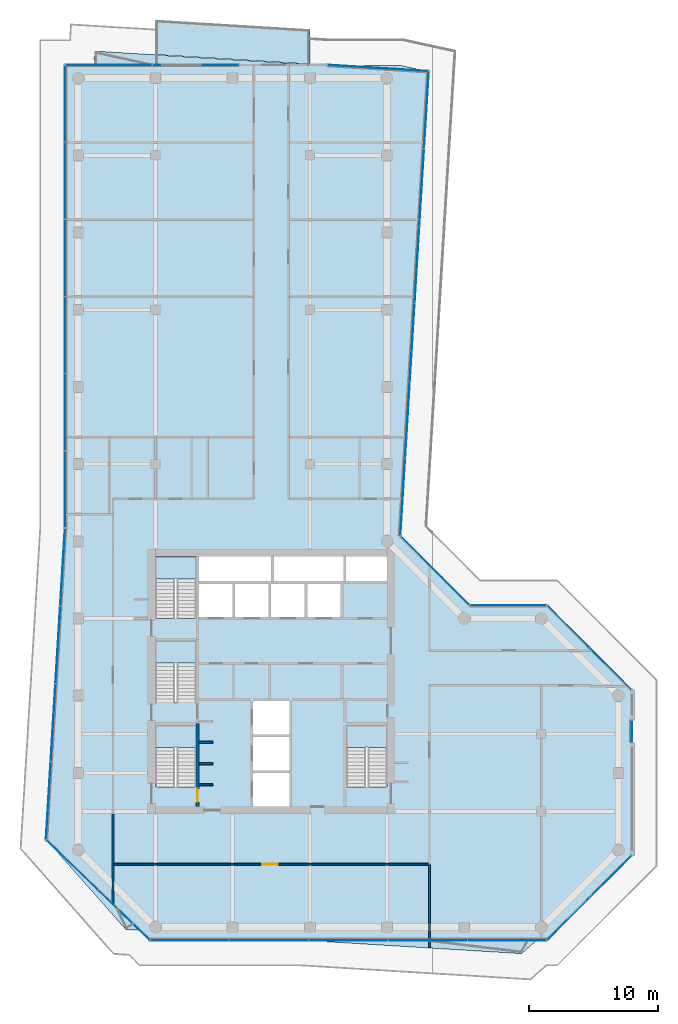
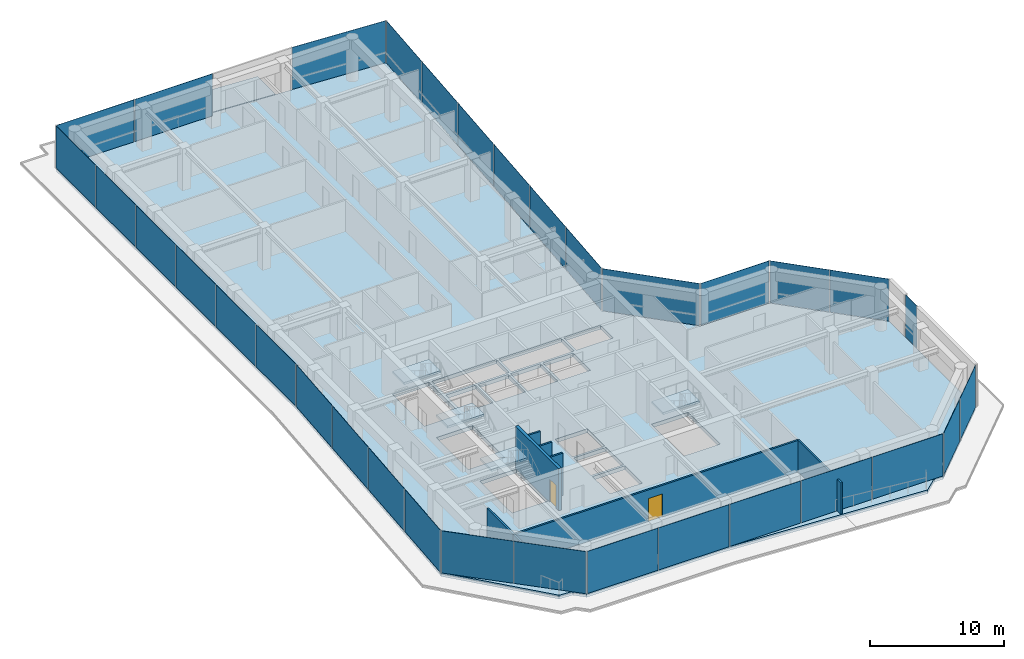
# One storey, part 17 of 22: 33 plates, 8 walls, 6 slabs, 2 doors, 2 openings, 16 elements without a shape of their own.
"""IFC4 building model written with IfcOpenShell, lengths in metres."""

from ifc_helpers import new_model, si_unit, direction, frame, frame_2d, origin, origin_2d, place, context, subcontext, project, spatial, polyline, rectangle, outline, extrude, material, layer, layer_set, type_object, element, fill, aggregate, save


model = new_model("IFC4")

# Units and contexts
model_context = context("Model", 3, precision=1e-05, world=origin(), true_north=direction((0.0, 1.0)))
body_context = subcontext(model_context, "Body", "Model", "MODEL_VIEW")
ifc_project = project(units=[si_unit("LENGTHUNIT", "METRE"), si_unit("AREAUNIT", "SQUARE_METRE"), si_unit("VOLUMEUNIT", "CUBIC_METRE"), si_unit("PLANEANGLEUNIT", "RADIAN"), si_unit("MASSUNIT", "GRAM", prefix="KILO")], contexts=[model_context])

# Site, building, storey
site_placement = place(None, origin())
site = spatial("IfcSite", under=ifc_project, at=site_placement, CompositionType="ELEMENT")
building_placement = place(site_placement, origin())
building = spatial("IfcBuilding", under=site, at=building_placement, Name="Welwitschia Terrace Campus", CompositionType="ELEMENT")
storey_placement = place(building_placement, frame((0.0, 0.0, 155.0)))
storey = spatial("IfcBuildingStorey", under=building, at=storey_placement, Name="L34", CompositionType="ELEMENT", Elevation=155.0)

# Curtain wall, plates
ifc_material_1 = material(Name="Bronze anodised aluminium", Category="aluminium")
ifc_layer_1 = layer(ifc_material_1, 0.1201171875)
ifc_layer_set_1 = layer_set([ifc_layer_1], Name="Bronze anodised aluminium")
curtain_wall_type = type_object("IfcCurtainWallType", Name="Curtain wall CW2 tower 6000", PredefinedType="NOTDEFINED", material=ifc_layer_set_1)
curtain_wall_1_placement = place(storey_placement, origin())
curtain_wall_1 = element("IfcCurtainWall", 1, at=curtain_wall_1_placement, inside=storey, type_object=curtain_wall_type, Name="CW L34.0.0", PredefinedType="NOTDEFINED")
ifc_material_2 = material(Name="Tinted bronze-grey glass", Category="glass")
ifc_layer_2 = layer(ifc_material_2, 0.028076171875)
ifc_layer_set_2 = layer_set([ifc_layer_2], Name="Tinted bronze-grey glass")
plate_type = type_object("IfcPlateType", Name="Glass panel 28 tinted", PredefinedType="CURTAIN_PANEL", material=ifc_layer_set_2)
plate_1_placement = place(storey_placement, frame((-1.21630859375, 23.991943359375, 0.0), z_axis=(0.0, 0.0, 1.0), x_axis=(-0.061048539535, -0.998134798422, 0.0)))
plate_1 = element("IfcPlate", 2, at=plate_1_placement, type_object=plate_type, Name="Panel L34.0.0.0", PredefinedType="CURTAIN_PANEL", context=body_context, shape_type="SweptSolid", body=[
    extrude(rectangle(XDim=5.98193359375, YDim=0.028076171875, at=origin_2d()), origin(), (0.0, 0.0, 1.0), 3.85009765625),
])
plate_2_placement = place(storey_placement, frame((-1.5859375, 17.9462890625, 0.0), z_axis=(0.0, 0.0, 1.0), x_axis=(-0.061048539535, -0.998134798422, 0.0)))
plate_2 = element("IfcPlate", 3, at=plate_2_placement, type_object=plate_type, Name="Panel L34.0.0.1", PredefinedType="CURTAIN_PANEL", context=body_context, shape_type="SweptSolid", body=[
    extrude(rectangle(XDim=6.011962890625, YDim=0.028076171875, at=origin_2d()), origin(), (0.0, 0.0, 1.0), 3.85009765625),
])
plate_3_placement = place(storey_placement, frame((-1.956787109375, 11.885498046875, 0.0), z_axis=(0.0, 0.0, 1.0), x_axis=(-0.061048539535, -0.998134798422, 0.0)))
plate_3 = element("IfcPlate", 4, at=plate_3_placement, type_object=plate_type, Name="Panel L34.0.0.2", PredefinedType="CURTAIN_PANEL", context=body_context, shape_type="SweptSolid", body=[
    extrude(rectangle(XDim=6.011962890625, YDim=0.028076171875, at=origin_2d()), origin(), (0.0, 0.0, 1.0), 3.85009765625),
])
plate_4_placement = place(storey_placement, frame((-2.326416015625, 5.83984375, 0.0), z_axis=(0.0, 0.0, 1.0), x_axis=(-0.061048539535, -0.998134798422, 0.0)))
plate_4 = element("IfcPlate", 5, at=plate_4_placement, type_object=plate_type, Name="Panel L34.0.0.3", PredefinedType="CURTAIN_PANEL", context=body_context, shape_type="SweptSolid", body=[
    extrude(rectangle(XDim=5.98193359375, YDim=0.028076171875, at=origin_2d()), origin(), (0.0, 0.0, 1.0), 3.85009765625),
])
aggregate(curtain_wall_1, [plate_1, plate_2, plate_3, plate_4])

curtain_wall_2_placement = place(storey_placement, origin())
curtain_wall_2 = element("IfcCurtainWall", 6, at=curtain_wall_2_placement, inside=storey, type_object=curtain_wall_type, Name="CW L34.1.0", PredefinedType="NOTDEFINED")
plate_5_placement = place(storey_placement, frame((-0.48046875, 0.828125, 0.0), z_axis=(0.0, 0.0, 1.0), x_axis=(0.718632119275, -0.695390449421, 0.0)))
plate_5 = element("IfcPlate", 7, at=plate_5_placement, type_object=plate_type, Name="Panel L34.1.0.0", PredefinedType="CURTAIN_PANEL", context=body_context, shape_type="SweptSolid", body=[
    extrude(rectangle(XDim=5.5361328125, YDim=0.028076171875, at=origin_2d()), origin(), (0.0, 0.0, 1.0), 3.85009765625),
])
plate_6_placement = place(storey_placement, frame((3.541015625, -3.0634765625, 0.0), z_axis=(0.0, 0.0, 1.0), x_axis=(0.718632119275, -0.695390449421, 0.0)))
plate_6 = element("IfcPlate", 8, at=plate_6_placement, type_object=plate_type, Name="Panel L34.1.0.1", PredefinedType="CURTAIN_PANEL", context=body_context, shape_type="SweptSolid", body=[
    extrude(rectangle(XDim=5.5361328125, YDim=0.028076171875, at=origin_2d()), origin(), (0.0, 0.0, 1.0), 3.85009765625),
])
aggregate(curtain_wall_2, [plate_5, plate_6])

curtain_wall_3_placement = place(storey_placement, origin())
curtain_wall_3 = element("IfcCurtainWall", 9, at=curtain_wall_3_placement, inside=storey, type_object=curtain_wall_type, Name="CW L34.2.0", PredefinedType="NOTDEFINED")
plate_7_placement = place(storey_placement, frame((8.673583984375, -5.030029296875, 0.0), z_axis=(0.0, 0.0, 1.0), x_axis=(1.0, 0.0, 0.0)))
plate_7 = element("IfcPlate", 10, at=plate_7_placement, type_object=plate_type, Name="Panel L34.2.0.0", PredefinedType="CURTAIN_PANEL", context=body_context, shape_type="SweptSolid", body=[
    extrude(rectangle(XDim=6.08056640625, YDim=0.028076171875, at=origin_2d()), origin(), (0.0, 0.0, 1.0), 3.85009765625),
])
plate_8_placement = place(storey_placement, frame((14.829345703125, -5.030029296875, 0.0), z_axis=(0.0, 0.0, 1.0), x_axis=(1.0, 0.0, 0.0)))
plate_8 = element("IfcPlate", 11, at=plate_8_placement, type_object=plate_type, Name="Panel L34.2.0.1", PredefinedType="CURTAIN_PANEL", context=body_context, shape_type="SweptSolid", body=[
    extrude(rectangle(XDim=6.110595703125, YDim=0.028076171875, at=origin_2d()), origin(), (0.0, 0.0, 1.0), 3.85009765625),
])
plate_9_placement = place(storey_placement, frame((21.0, -5.030029296875, 0.0), z_axis=(0.0, 0.0, 1.0), x_axis=(1.0, 0.0, 0.0)))
plate_9 = element("IfcPlate", 12, at=plate_9_placement, type_object=plate_type, Name="Panel L34.2.0.2", PredefinedType="CURTAIN_PANEL", context=body_context, shape_type="SweptSolid", body=[
    extrude(rectangle(XDim=6.110595703125, YDim=0.028076171875, at=origin_2d()), origin(), (0.0, 0.0, 1.0), 3.85009765625),
])
plate_10_placement = place(storey_placement, frame((27.170654296875, -5.030029296875, 0.0), z_axis=(0.0, 0.0, 1.0), x_axis=(1.0, 0.0, 0.0)))
plate_10 = element("IfcPlate", 13, at=plate_10_placement, type_object=plate_type, Name="Panel L34.2.0.3", PredefinedType="CURTAIN_PANEL", context=body_context, shape_type="SweptSolid", body=[
    extrude(rectangle(XDim=6.110595703125, YDim=0.028076171875, at=origin_2d()), origin(), (0.0, 0.0, 1.0), 3.85009765625),
])
plate_11_placement = place(storey_placement, frame((33.326416015625, -5.030029296875, 0.0), z_axis=(0.0, 0.0, 1.0), x_axis=(1.0, 0.0, 0.0)))
plate_11 = element("IfcPlate", 14, at=plate_11_placement, type_object=plate_type, Name="Panel L34.2.0.4", PredefinedType="CURTAIN_PANEL", context=body_context, shape_type="SweptSolid", body=[
    extrude(rectangle(XDim=6.08056640625, YDim=0.028076171875, at=origin_2d()), origin(), (0.0, 0.0, 1.0), 3.85009765625),
])
aggregate(curtain_wall_3, [plate_7, plate_8, plate_9, plate_10, plate_11])

curtain_wall_4_placement = place(storey_placement, origin())
curtain_wall_4 = element("IfcCurtainWall", 15, at=curtain_wall_4_placement, inside=storey, type_object=curtain_wall_type, Name="CW L34.3.0", PredefinedType="NOTDEFINED")
plate_12_placement = place(storey_placement, frame((38.088134765625, -3.36865234375, 0.0), z_axis=(0.0, 0.0, 1.0), x_axis=(0.707106781187, 0.707106781187, 0.0)))
plate_12 = element("IfcPlate", 16, at=plate_12_placement, type_object=plate_type, Name="Panel L34.3.0.0", PredefinedType="CURTAIN_PANEL", context=body_context, shape_type="SweptSolid", body=[
    extrude(rectangle(XDim=4.579345703125, YDim=0.028076171875, at=origin_2d()), origin(), (0.0, 0.0, 1.0), 3.85009765625),
])
plate_13_placement = place(storey_placement, frame((41.36865234375, -0.088134765625, 0.0), z_axis=(0.0, 0.0, 1.0), x_axis=(0.707106781187, 0.707106781187, 0.0)))
plate_13 = element("IfcPlate", 17, at=plate_13_placement, type_object=plate_type, Name="Panel L34.3.0.1", PredefinedType="CURTAIN_PANEL", context=body_context, shape_type="SweptSolid", body=[
    extrude(rectangle(XDim=4.579345703125, YDim=0.028076171875, at=origin_2d()), origin(), (0.0, 0.0, 1.0), 3.85009765625),
])
aggregate(curtain_wall_4, [plate_12, plate_13])

# Curtain wall, plate
curtain_wall_5_placement = place(storey_placement, origin())
curtain_wall_5 = element("IfcCurtainWall", 18, at=curtain_wall_5_placement, inside=storey, type_object=curtain_wall_type, Name="CW L34.4.S0", PredefinedType="NOTDEFINED")
plate_14_placement = place(storey_placement, frame((43.030029296875, 11.21337890625, 0.0), z_axis=(0.0, 0.0, 1.0), x_axis=(0.0, 1.0, 0.0)))
plate_14 = element("IfcPlate", 19, at=plate_14_placement, type_object=plate_type, Name="Panel L34.4.S0.0", PredefinedType="CURTAIN_PANEL", context=body_context, shape_type="SweptSolid", body=[
    extrude(rectangle(XDim=1.679931640625, YDim=0.028076171875, at=origin_2d()), origin(), (0.0, 0.0, 1.0), 3.85009765625),
])
aggregate(curtain_wall_5, [plate_14])

# Curtain wall, plates
curtain_wall_6_placement = place(storey_placement, origin())
curtain_wall_6 = element("IfcCurtainWall", 20, at=curtain_wall_6_placement, inside=storey, type_object=curtain_wall_type, Name="CW L34.5.0", PredefinedType="NOTDEFINED")
plate_15_placement = place(storey_placement, frame((41.36865234375, 16.088134765625, 0.0), z_axis=(0.0, 0.0, 1.0), x_axis=(-0.707106781187, 0.707106781187, 0.0)))
plate_15 = element("IfcPlate", 21, at=plate_15_placement, type_object=plate_type, Name="Panel L34.5.0.0", PredefinedType="CURTAIN_PANEL", context=body_context, shape_type="SweptSolid", body=[
    extrude(rectangle(XDim=4.579345703125, YDim=0.028076171875, at=origin_2d()), origin(), (0.0, 0.0, 1.0), 3.85009765625),
])
plate_16_placement = place(storey_placement, frame((38.088134765625, 19.36865234375, 0.0), z_axis=(0.0, 0.0, 1.0), x_axis=(-0.707106781187, 0.707106781187, 0.0)))
plate_16 = element("IfcPlate", 22, at=plate_16_placement, type_object=plate_type, Name="Panel L34.5.0.1", PredefinedType="CURTAIN_PANEL", context=body_context, shape_type="SweptSolid", body=[
    extrude(rectangle(XDim=4.579345703125, YDim=0.028076171875, at=origin_2d()), origin(), (0.0, 0.0, 1.0), 3.85009765625),
])
aggregate(curtain_wall_6, [plate_15, plate_16])

# Curtain wall, plate
curtain_wall_7_placement = place(storey_placement, origin())
curtain_wall_7 = element("IfcCurtainWall", 23, at=curtain_wall_7_placement, inside=storey, type_object=curtain_wall_type, Name="CW L34.6.0", PredefinedType="NOTDEFINED")
plate_17_placement = place(storey_placement, frame((33.4267578125, 21.030029296875, 0.0), z_axis=(0.0, 0.0, 1.0), x_axis=(-1.0, 0.0, 0.0)))
plate_17 = element("IfcPlate", 24, at=plate_17_placement, type_object=plate_type, Name="Panel L34.6.0.0", PredefinedType="CURTAIN_PANEL", context=body_context, shape_type="SweptSolid", body=[
    extrude(rectangle(XDim=5.8798828125, YDim=0.028076171875, at=origin_2d()), origin(), (0.0, 0.0, 1.0), 3.85009765625),
])
aggregate(curtain_wall_7, [plate_17])

curtain_wall_8_placement = place(storey_placement, origin())
curtain_wall_8 = element("IfcCurtainWall", 25, at=curtain_wall_8_placement, inside=storey, type_object=curtain_wall_type, Name="CW L34.7.0", PredefinedType="NOTDEFINED")
plate_18_placement = place(storey_placement, frame((27.733642578125, 23.722900390625, 0.0), z_axis=(0.0, 0.0, 1.0), x_axis=(-0.707106781187, 0.707106781187, 0.0)))
plate_18 = element("IfcPlate", 26, at=plate_18_placement, type_object=plate_type, Name="Panel L34.7.0.0", PredefinedType="CURTAIN_PANEL", context=body_context, shape_type="SweptSolid", body=[
    extrude(rectangle(XDim=7.496826171875, YDim=0.028076171875, at=origin_2d()), origin(), (0.0, 0.0, 1.0), 3.85009765625),
])
aggregate(curtain_wall_8, [plate_18])

# Curtain wall, plates
curtain_wall_9_placement = place(storey_placement, origin())
curtain_wall_9 = element("IfcCurtainWall", 27, at=curtain_wall_9_placement, inside=storey, type_object=curtain_wall_type, Name="CW L34.8.0", PredefinedType="NOTDEFINED")
plate_19_placement = place(storey_placement, frame((25.225830078125, 29.44140625, 0.0), z_axis=(0.0, 0.0, 1.0), x_axis=(0.061048539535, 0.998134798422, 0.0)))
plate_19 = element("IfcPlate", 28, at=plate_19_placement, type_object=plate_type, Name="Panel L34.8.0.0", PredefinedType="CURTAIN_PANEL", context=body_context, shape_type="SweptSolid", body=[
    extrude(rectangle(XDim=5.942138671875, YDim=0.028076171875, at=origin_2d()), origin(), (0.0, 0.0, 1.0), 3.85009765625),
])
plate_20_placement = place(storey_placement, frame((25.593017578125, 35.447265625, 0.0), z_axis=(0.0, 0.0, 1.0), x_axis=(0.061048539535, 0.998134798422, 0.0)))
plate_20 = element("IfcPlate", 29, at=plate_20_placement, type_object=plate_type, Name="Panel L34.8.0.1", PredefinedType="CURTAIN_PANEL", context=body_context, shape_type="SweptSolid", body=[
    extrude(rectangle(XDim=5.97216796875, YDim=0.028076171875, at=origin_2d()), origin(), (0.0, 0.0, 1.0), 3.85009765625),
])
plate_21_placement = place(storey_placement, frame((25.96142578125, 41.46826171875, 0.0), z_axis=(0.0, 0.0, 1.0), x_axis=(0.061048539535, 0.998134798422, 0.0)))
plate_21 = element("IfcPlate", 30, at=plate_21_placement, type_object=plate_type, Name="Panel L34.8.0.2", PredefinedType="CURTAIN_PANEL", context=body_context, shape_type="SweptSolid", body=[
    extrude(rectangle(XDim=5.97216796875, YDim=0.028076171875, at=origin_2d()), origin(), (0.0, 0.0, 1.0), 3.85009765625),
])
plate_22_placement = place(storey_placement, frame((26.32958984375, 47.489013671875, 0.0), z_axis=(0.0, 0.0, 1.0), x_axis=(0.061048539535, 0.998134798422, 0.0)))
plate_22 = element("IfcPlate", 31, at=plate_22_placement, type_object=plate_type, Name="Panel L34.8.0.3", PredefinedType="CURTAIN_PANEL", context=body_context, shape_type="SweptSolid", body=[
    extrude(rectangle(XDim=5.97216796875, YDim=0.028076171875, at=origin_2d()), origin(), (0.0, 0.0, 1.0), 3.85009765625),
])
plate_23_placement = place(storey_placement, frame((26.69775390625, 53.510009765625, 0.0), z_axis=(0.0, 0.0, 1.0), x_axis=(0.061048539535, 0.998134798422, 0.0)))
plate_23 = element("IfcPlate", 32, at=plate_23_placement, type_object=plate_type, Name="Panel L34.8.0.4", PredefinedType="CURTAIN_PANEL", context=body_context, shape_type="SweptSolid", body=[
    extrude(rectangle(XDim=5.97216796875, YDim=0.028076171875, at=origin_2d()), origin(), (0.0, 0.0, 1.0), 3.85009765625),
])
plate_24_placement = place(storey_placement, frame((27.065185546875, 59.515869140625, 0.0), z_axis=(0.0, 0.0, 1.0), x_axis=(0.061048539535, 0.998134798422, 0.0)))
plate_24 = element("IfcPlate", 33, at=plate_24_placement, type_object=plate_type, Name="Panel L34.8.0.5", PredefinedType="CURTAIN_PANEL", context=body_context, shape_type="SweptSolid", body=[
    extrude(rectangle(XDim=5.942138671875, YDim=0.028076171875, at=origin_2d()), origin(), (0.0, 0.0, 1.0), 3.85009765625),
])
aggregate(curtain_wall_9, [plate_19, plate_20, plate_21, plate_22, plate_23, plate_24])

# Curtain wall, plate
curtain_wall_10_placement = place(storey_placement, origin())
curtain_wall_10 = element("IfcCurtainWall", 34, at=curtain_wall_10_placement, inside=storey, type_object=curtain_wall_type, Name="CW L34.9.0", PredefinedType="NOTDEFINED")
plate_25_placement = place(storey_placement, frame((23.291015625, 62.78564453125, 0.0), z_axis=(0.0, 0.0, 1.0), x_axis=(-0.998101779406, 0.061586020702, 0.0)))
plate_25 = element("IfcPlate", 35, at=plate_25_placement, type_object=plate_type, Name="Panel L34.9.0.0", PredefinedType="CURTAIN_PANEL", context=body_context, shape_type="SweptSolid", body=[
    extrude(rectangle(XDim=7.8134765625, YDim=0.028076171875, at=origin_2d()), origin(), (0.0, 0.0, 1.0), 3.85009765625),
])
aggregate(curtain_wall_10, [plate_25])

# Curtain wall, plates
curtain_wall_11_placement = place(storey_placement, origin())
curtain_wall_11 = element("IfcCurtainWall", 36, at=curtain_wall_11_placement, inside=storey, type_object=curtain_wall_type, Name="CW L34.10.1", PredefinedType="NOTDEFINED")
plate_26_placement = place(storey_placement, frame((9.135986328125, 63.030029296875, 0.0), z_axis=(0.0, 0.0, 1.0), x_axis=(-1.0, 0.0, 0.0)))
plate_26 = element("IfcPlate", 37, at=plate_26_placement, type_object=plate_type, Name="Panel L34.10.1.0", PredefinedType="CURTAIN_PANEL", context=body_context, shape_type="SweptSolid", body=[
    extrude(rectangle(XDim=6.697265625, YDim=0.028076171875, at=origin_2d()), origin(), (0.0, 0.0, 1.0), 3.85009765625),
])
plate_27_placement = place(storey_placement, frame((2.378662109375, 63.030029296875, 0.0), z_axis=(0.0, 0.0, 1.0), x_axis=(-1.0, 0.0, 0.0)))
plate_27 = element("IfcPlate", 38, at=plate_27_placement, type_object=plate_type, Name="Panel L34.10.1.1", PredefinedType="CURTAIN_PANEL", context=body_context, shape_type="SweptSolid", body=[
    extrude(rectangle(XDim=6.697265625, YDim=0.028076171875, at=origin_2d()), origin(), (0.0, 0.0, 1.0), 3.85009765625),
])
aggregate(curtain_wall_11, [plate_26, plate_27])

curtain_wall_12_placement = place(storey_placement, origin())
curtain_wall_12 = element("IfcCurtainWall", 39, at=curtain_wall_12_placement, inside=storey, type_object=curtain_wall_type, Name="CW L34.11.0", PredefinedType="NOTDEFINED")
plate_28_placement = place(storey_placement, frame((-1.030029296875, 60.015625, 0.0), z_axis=(0.0, 0.0, 1.0), x_axis=(0.0, -1.0, 0.0)))
plate_28 = element("IfcPlate", 40, at=plate_28_placement, type_object=plate_type, Name="Panel L34.11.0.0", PredefinedType="CURTAIN_PANEL", context=body_context, shape_type="SweptSolid", body=[
    extrude(rectangle(XDim=5.90869140625, YDim=0.028076171875, at=origin_2d()), origin(), (0.0, 0.0, 1.0), 3.85009765625),
])
plate_29_placement = place(storey_placement, frame((-1.030029296875, 54.03173828125, 0.0), z_axis=(0.0, 0.0, 1.0), x_axis=(0.0, -1.0, 0.0)))
plate_29 = element("IfcPlate", 41, at=plate_29_placement, type_object=plate_type, Name="Panel L34.11.0.1", PredefinedType="CURTAIN_PANEL", context=body_context, shape_type="SweptSolid", body=[
    extrude(rectangle(XDim=5.938720703125, YDim=0.028076171875, at=origin_2d()), origin(), (0.0, 0.0, 1.0), 3.85009765625),
])
plate_30_placement = place(storey_placement, frame((-1.030029296875, 48.032958984375, 0.0), z_axis=(0.0, 0.0, 1.0), x_axis=(0.0, -1.0, 0.0)))
plate_30 = element("IfcPlate", 42, at=plate_30_placement, type_object=plate_type, Name="Panel L34.11.0.2", PredefinedType="CURTAIN_PANEL", context=body_context, shape_type="SweptSolid", body=[
    extrude(rectangle(XDim=5.938720703125, YDim=0.028076171875, at=origin_2d()), origin(), (0.0, 0.0, 1.0), 3.85009765625),
])
plate_31_placement = place(storey_placement, frame((-1.030029296875, 42.0341796875, 0.0), z_axis=(0.0, 0.0, 1.0), x_axis=(0.0, -1.0, 0.0)))
plate_31 = element("IfcPlate", 43, at=plate_31_placement, type_object=plate_type, Name="Panel L34.11.0.3", PredefinedType="CURTAIN_PANEL", context=body_context, shape_type="SweptSolid", body=[
    extrude(rectangle(XDim=5.938720703125, YDim=0.028076171875, at=origin_2d()), origin(), (0.0, 0.0, 1.0), 3.85009765625),
])
plate_32_placement = place(storey_placement, frame((-1.030029296875, 36.035400390625, 0.0), z_axis=(0.0, 0.0, 1.0), x_axis=(0.0, -1.0, 0.0)))
plate_32 = element("IfcPlate", 44, at=plate_32_placement, type_object=plate_type, Name="Panel L34.11.0.4", PredefinedType="CURTAIN_PANEL", context=body_context, shape_type="SweptSolid", body=[
    extrude(rectangle(XDim=5.938720703125, YDim=0.028076171875, at=origin_2d()), origin(), (0.0, 0.0, 1.0), 3.85009765625),
])
plate_33_placement = place(storey_placement, frame((-1.030029296875, 30.051513671875, 0.0), z_axis=(0.0, 0.0, 1.0), x_axis=(0.0, -1.0, 0.0)))
plate_33 = element("IfcPlate", 45, at=plate_33_placement, type_object=plate_type, Name="Panel L34.11.0.5", PredefinedType="CURTAIN_PANEL", context=body_context, shape_type="SweptSolid", body=[
    extrude(rectangle(XDim=5.90869140625, YDim=0.028076171875, at=origin_2d()), origin(), (0.0, 0.0, 1.0), 3.85009765625),
])
aggregate(curtain_wall_12, [plate_28, plate_29, plate_30, plate_31, plate_32, plate_33])

# Stair, slab
ifc_material_3 = material(Name="Concrete C40/50", Category="concrete")
stair_type = type_object("IfcStairType", Name="Stair 24R 175 W1500", PredefinedType="HALF_TURN_STAIR", material=ifc_material_3)
stair_1_placement = place(storey_placement, origin())
stair_1 = element("IfcStair", 46, at=stair_1_placement, inside=storey, type_object=stair_type, Name="L34 Exit stair S1", PredefinedType="HALF_TURN_STAIR")
ifc_material_4 = material(Name="Concrete C40/50", Category="concrete")
ifc_layer_3 = layer(ifc_material_4, 0.199951171875)
ifc_layer_set_3 = layer_set([ifc_layer_3], Name="Concrete C40/50")
slab_type_1 = type_object("IfcSlabType", Name="Stair landing RC", PredefinedType="LANDING", material=ifc_layer_set_3)
slab_1_placement = place(storey_placement, frame((0.0, 0.0, 1.89990234375)))
slab_1 = element("IfcSlab", 47, at=slab_1_placement, type_object=slab_type_1, Name="S1 landing 1", PredefinedType="LANDING", context=body_context, shape_type="SweptSolid", body=[
    extrude(outline(polyline([(9.14990234375, 9.97998046875), (9.14990234375, 11.699951171875), (6.0, 11.699951171875), (6.0, 9.97998046875), (9.14990234375, 9.97998046875)])), origin(), (0.0, 0.0, 1.0), 0.2001953125),
])
aggregate(stair_1, [slab_1])

stair_2_placement = place(storey_placement, origin())
stair_2 = element("IfcStair", 48, at=stair_2_placement, inside=storey, type_object=stair_type, Name="L34 Exit stair S3", PredefinedType="HALF_TURN_STAIR")
slab_2_placement = place(storey_placement, frame((0.0, 0.0, 1.89990234375)))
slab_2 = element("IfcSlab", 49, at=slab_2_placement, type_object=slab_type_1, Name="S3 landing 1", PredefinedType="LANDING", context=body_context, shape_type="SweptSolid", body=[
    extrude(outline(polyline([(9.14990234375, 16.530029296875), (9.14990234375, 18.25), (6.0, 18.25), (6.0, 16.530029296875), (9.14990234375, 16.530029296875)])), origin(), (0.0, 0.0, 1.0), 0.2001953125),
])
aggregate(stair_2, [slab_2])

stair_3_placement = place(storey_placement, origin())
stair_3 = element("IfcStair", 50, at=stair_3_placement, inside=storey, type_object=stair_type, Name="L34 Exit stair S4", PredefinedType="HALF_TURN_STAIR")
slab_3_placement = place(storey_placement, frame((0.0, 0.0, 1.89990234375)))
slab_3 = element("IfcSlab", 51, at=slab_3_placement, type_object=slab_type_1, Name="S4 landing 1", PredefinedType="LANDING", context=body_context, shape_type="SweptSolid", body=[
    extrude(outline(polyline([(9.14990234375, 23.080078125), (9.14990234375, 24.800048828125), (6.0, 24.800048828125), (6.0, 23.080078125), (9.14990234375, 23.080078125)])), origin(), (0.0, 0.0, 1.0), 0.2001953125),
])
aggregate(stair_3, [slab_3])

stair_4_placement = place(storey_placement, origin())
stair_4 = element("IfcStair", 52, at=stair_4_placement, inside=storey, type_object=stair_type, Name="L34 Exit stair S2", PredefinedType="HALF_TURN_STAIR")
slab_4_placement = place(storey_placement, frame((0.0, 0.0, 1.89990234375)))
slab_4 = element("IfcSlab", 53, at=slab_4_placement, type_object=slab_type_1, Name="S2 landing 1", PredefinedType="LANDING", context=body_context, shape_type="SweptSolid", body=[
    extrude(outline(polyline([(24.0, 9.97998046875), (24.0, 11.699951171875), (20.85009765625, 11.699951171875), (20.85009765625, 9.97998046875), (24.0, 9.97998046875)])), origin(), (0.0, 0.0, 1.0), 0.2001953125),
])
aggregate(stair_4, [slab_4])

# Slabs
ifc_material_5 = material(Name="Concrete C40/50", Category="concrete")
ifc_layer_4 = layer(ifc_material_5, 0.35009765625)
ifc_layer_set_4 = layer_set([ifc_layer_4], Name="Concrete C40/50")
slab_type_2 = type_object("IfcSlabType", Name="Suspended floor slab 350", PredefinedType="FLOOR", material=ifc_layer_set_4)
slab_5_placement = place(storey_placement, frame((0.0, 0.0, -0.35009765625)))
element("IfcSlab", 54, at=slab_5_placement, inside=storey, type_object=slab_type_2, Name="Floor slab L34", PredefinedType="FLOOR", context=body_context, shape_type="SweptSolid", body=[
    extrude(outline(polyline([(1.26708984375, 64.104736328125), (5.998046875, 63.8154296875), (5.9970703125, 63.800537109375), (18.0009765625, 63.06640625), (18.001953125, 63.081298828125), (19.330810546875, 63.0), (25.0, 63.0), (27.21875, 62.517578125), (25.010009765625, 26.404296875), (30.414306640625, 21.0), (36.414306640625, 21.0), (43.0, 14.414306640625), (43.0, 1.585693359375), (36.414306640625, -5.0), (35.64990234375, -5.0), (34.46044921875, -6.052490234375), (17.253173828125, -5.0), (5.585693359375, -5.0), (4.82568359375, -4.239990234375), (3.689453125, -4.17041015625), (-2.48193359375, 2.80517578125), (-1.0, 27.0361328125), (-1.0, 63.0), (1.19970703125, 63.0), (1.26708984375, 64.104736328125)]), holes=[polyline([(13.60009765625, 5.39990234375), (16.39990234375, 5.39990234375), (16.39990234375, 8.0), (13.60009765625, 8.0), (13.60009765625, 5.39990234375)]), polyline([(6.0, 11.699951171875), (6.0, 6.902099609375), (9.14990234375, 6.902099609375), (9.14990234375, 11.699951171875), (6.0, 11.699951171875)]), polyline([(6.0, 18.25), (6.0, 13.451904296875), (9.14990234375, 13.451904296875), (9.14990234375, 18.25), (6.0, 18.25)]), polyline([(9.39990234375, 22.699951171875), (9.39990234375, 20.10009765625), (12.0, 20.10009765625), (12.0, 22.699951171875), (9.39990234375, 22.699951171875)]), polyline([(12.199951171875, 22.699951171875), (12.199951171875, 20.10009765625), (14.800048828125, 20.10009765625), (14.800048828125, 22.699951171875), (12.199951171875, 22.699951171875)]), polyline([(6.0, 24.800048828125), (6.0, 20.001953125), (9.14990234375, 20.001953125), (9.14990234375, 24.800048828125), (6.0, 24.800048828125)]), polyline([(9.39990234375, 24.800048828125), (9.39990234375, 22.89990234375), (15.0, 22.89990234375), (15.0, 24.800048828125), (9.39990234375, 24.800048828125)]), polyline([(20.85009765625, 6.902099609375), (24.0, 6.902099609375), (24.0, 11.699951171875), (20.85009765625, 11.699951171875), (20.85009765625, 6.902099609375)]), polyline([(13.60009765625, 10.800048828125), (13.60009765625, 8.199951171875), (16.39990234375, 8.199951171875), (16.39990234375, 10.800048828125), (13.60009765625, 10.800048828125)]), polyline([(13.60009765625, 13.60009765625), (13.60009765625, 11.0), (16.39990234375, 11.0), (16.39990234375, 13.60009765625), (13.60009765625, 13.60009765625)]), polyline([(15.0, 22.699951171875), (15.0, 20.10009765625), (17.60009765625, 20.10009765625), (17.60009765625, 22.699951171875), (15.0, 22.699951171875)]), polyline([(17.800048828125, 22.699951171875), (17.800048828125, 20.10009765625), (20.39990234375, 20.10009765625), (20.39990234375, 22.699951171875), (17.800048828125, 22.699951171875)]), polyline([(15.199951171875, 24.800048828125), (15.199951171875, 22.89990234375), (20.60009765625, 22.89990234375), (20.60009765625, 24.800048828125), (15.199951171875, 24.800048828125)]), polyline([(20.800048828125, 24.800048828125), (20.800048828125, 22.89990234375), (24.0, 22.89990234375), (24.0, 24.800048828125), (20.800048828125, 24.800048828125)])]), origin(), (0.0, 0.0, 1.0), 0.35009765625),
])
ifc_material_6 = material(Name="Concrete C40/50", Category="concrete")
ifc_layer_5 = layer(ifc_material_6, 0.35009765625)
ifc_layer_set_5 = layer_set([ifc_layer_5], Name="Concrete C40/50")
slab_type_3 = type_object("IfcSlabType", Name="Terrace slab 350", PredefinedType="FLOOR", material=ifc_layer_set_5)
slab_6_placement = place(storey_placement, frame((0.0, 0.0, -0.35009765625)))
element("IfcSlab", 55, at=slab_6_placement, inside=storey, type_object=slab_type_3, Name="Terrace slab", PredefinedType="FLOOR", context=body_context, shape_type="SweptSolid", body=[
    extrude(outline(polyline([(6.0, 66.5205078125), (18.0, 65.786376953125), (18.0, 63.096435546875), (6.0, 63.830322265625), (6.0, 66.5205078125)])), origin(), (0.0, 0.0, 1.0), 0.35009765625),
])

# Walls
ifc_material_7 = material(Name="Concrete C50/60", Category="concrete")
ifc_layer_6 = layer(ifc_material_7, 0.14990234375)
ifc_layer_set_6 = layer_set([ifc_layer_6], Name="Concrete C50/60")
wall_type_1 = type_object("IfcWallType", Name="Core wall 150 Concrete C50/60", PredefinedType="SHEAR", material=ifc_layer_set_6)
for number, where, z_axis, x_axis, name in (
    (56, (9.39990234375, 7.074951171875, 0.0), (0.0, 0.0, 1.0), (1.0, 0.0, 0.0), "Core wall"),
    (57, (9.39990234375, 8.72509765625, 0.0), (0.0, 0.0, 1.0), (1.0, 0.0, 0.0), "Core wall"),
    (58, (9.39990234375, 10.375, 0.0), (0.0, 0.0, 1.0), (1.0, 0.0, 0.0), "Core wall"),
):
    element("IfcWall", number, at=place(storey_placement, frame(where, z_axis=z_axis, x_axis=x_axis)), inside=storey, type_object=wall_type_1, Name=name, PredefinedType="SHEAR", context=body_context, shape_type="SweptSolid", body=[
        extrude(rectangle(XDim=1.050048828125, YDim=0.14990234375, at=frame_2d((0.52490234375, 0.0))), origin(), (0.0, 0.0, 1.0), 3.85009765625),
    ])

# Wall, opening, door
ifc_material_8 = material(Name="Concrete C50/60", Category="concrete")
ifc_layer_7 = layer(ifc_material_8, 0.25)
ifc_layer_set_7 = layer_set([ifc_layer_7], Name="Concrete C50/60")
wall_type_2 = type_object("IfcWallType", Name="Core wall 250 Concrete C50/60", PredefinedType="SHEAR", material=ifc_layer_set_7)
wall_1_placement = place(storey_placement, frame((9.27490234375, 11.824951171875, 0.0), z_axis=(0.0, 0.0, 1.0), x_axis=(0.0, -1.0, 0.0)))
wall_1 = element("IfcWall", 59, at=wall_1_placement, inside=storey, type_object=wall_type_2, Name="Core wall", PredefinedType="SHEAR", context=body_context, shape_type="SweptSolid", body=[
    extrude(rectangle(XDim=6.425048828125, YDim=0.25, at=frame_2d((3.21240234375, 0.0))), origin(), (0.0, 0.0, 1.0), 3.85009765625),
])
opening_1_placement = place(wall_1_placement, frame((5.074951171875, 0.0, 0.0)))
opening_1 = element("IfcOpeningElement", 60, at=opening_1_placement, cuts=wall_1, Name="Opening DS10", PredefinedType="OPENING", context=body_context, shape_type="SweptSolid", body=[
    extrude(rectangle(XDim=1.0, YDim=2.10009765625, at=frame_2d((0.5, 1.050048828125))), frame((0.0, 0.135009765625, 0.0), z_axis=(0.0, -1.0, 0.0), x_axis=(1.0, 0.0, 0.0)), (0.0, 0.0, 1.0), 0.27001953125),
])
ifc_material_9 = material(Name="Steel S275", Category="steel")
door_type_1 = type_object("IfcDoorType", Name="Core door DS10", OperationType="SINGLE_SWING_LEFT", PredefinedType="DOOR", material=ifc_material_9)
door_1_placement = place(opening_1_placement, origin())
door_1 = element("IfcDoor", 61, at=door_1_placement, inside=storey, type_object=door_type_1, Name="Door S1-FL", OperationType="SINGLE_SWING_RIGHT", OverallHeight=2.10009765625, OverallWidth=1.0, PredefinedType="DOOR", context=body_context, shape_type="SweptSolid", body=[
    extrude(rectangle(XDim=1.0, YDim=2.10009765625, at=frame_2d((0.5, 1.050048828125))), frame((0.0, 0.02490234375, 0.0), z_axis=(0.0, -1.0, 0.0), x_axis=(1.0, 0.0, 0.0)), (0.0, 0.0, 1.0), 0.050048828125),
])
fill(opening_1, door_1)

# Walls
ifc_material_10 = material(Name="Gypsum board on steel studs", Category="steel")
ifc_layer_8 = layer(ifc_material_10, 0.14990234375)
ifc_layer_set_8 = layer_set([ifc_layer_8], Name="Gypsum board on steel studs")
wall_type_3 = type_object("IfcWallType", Name="Corridor partition 150 EI 30", PredefinedType="PARTITIONING", material=ifc_layer_set_8)
wall_2_placement = place(storey_placement, frame((2.699951171875, -2.179931640625, 0.0), z_axis=(0.0, 0.0, 1.0), x_axis=(0.0, 1.0, 0.0)))
element("IfcWall", 62, at=wall_2_placement, inside=storey, type_object=wall_type_3, Name="Partition", PredefinedType="PARTITIONING", context=body_context, shape_type="SweptSolid", body=[
    extrude(rectangle(XDim=3.079833984375, YDim=0.14990234375, at=frame_2d((1.5400390625, 0.0))), origin(), (0.0, 0.0, 1.0), 2.8798828125),
])
wall_3_placement = place(storey_placement, frame((2.699951171875, 0.89990234375, 0.0), z_axis=(0.0, 0.0, 1.0), x_axis=(0.0, 1.0, 0.0)))
element("IfcWall", 63, at=wall_3_placement, inside=storey, type_object=wall_type_3, Name="Partition", PredefinedType="PARTITIONING", context=body_context, shape_type="SweptSolid", body=[
    extrude(rectangle(XDim=3.900146484375, YDim=0.14990234375, at=frame_2d((1.9501953125, 0.0))), origin(), (0.0, 0.0, 1.0), 2.8798828125),
])
wall_4_placement = place(storey_placement, frame((27.300048828125, -5.590087890625, 0.0), z_axis=(0.0, 0.0, 1.0), x_axis=(0.0, 1.0, 0.0)))
element("IfcWall", 64, at=wall_4_placement, inside=storey, type_object=wall_type_3, Name="Partition", PredefinedType="PARTITIONING", context=body_context, shape_type="SweptSolid", body=[
    extrude(rectangle(XDim=6.489990234375, YDim=0.14990234375, at=frame_2d((3.2451171875, 0.0))), origin(), (0.0, 0.0, 1.0), 2.8798828125),
])

# Wall, opening, door
wall_5_placement = place(storey_placement, frame((27.300048828125, 0.89990234375, 0.0), z_axis=(0.0, 0.0, 1.0), x_axis=(-1.0, 0.0, 0.0)))
wall_5 = element("IfcWall", 65, at=wall_5_placement, inside=storey, type_object=wall_type_3, Name="Partition", PredefinedType="PARTITIONING", context=body_context, shape_type="SweptSolid", body=[
    extrude(rectangle(XDim=24.60009765625, YDim=0.14990234375, at=frame_2d((12.300048828125, 0.0))), origin(), (0.0, 0.0, 1.0), 2.8798828125),
])
opening_2_placement = place(wall_5_placement, frame((11.800048828125, 0.0, 0.0)))
opening_2 = element("IfcOpeningElement", 66, at=opening_2_placement, cuts=wall_5, Name="Opening DI12", PredefinedType="OPENING", context=body_context, shape_type="SweptSolid", body=[
    extrude(rectangle(XDim=1.199951171875, YDim=2.10009765625, at=frame_2d((0.60009765625, 1.050048828125))), frame((0.0, 0.0849609375, 0.0), z_axis=(0.0, -1.0, 0.0), x_axis=(1.0, 0.0, 0.0)), (0.0, 0.0, 1.0), 0.169921875),
])
ifc_material_11 = material(Name="Timber veneered door", Category="wood")
door_type_2 = type_object("IfcDoorType", Name="Interior door DI12", OperationType="NOTDEFINED", PredefinedType="DOOR", material=ifc_material_11)
door_2_placement = place(opening_2_placement, origin())
door_2 = element("IfcDoor", 67, at=door_2_placement, inside=storey, type_object=door_type_2, Name="Door L34 706", OperationType="SINGLE_SWING_LEFT", OverallHeight=2.10009765625, OverallWidth=1.199951171875, PredefinedType="DOOR", context=body_context, shape_type="SweptSolid", body=[
    extrude(rectangle(XDim=1.199951171875, YDim=2.10009765625, at=frame_2d((0.60009765625, 1.050048828125))), frame((0.0, 0.02490234375, 0.0), z_axis=(0.0, -1.0, 0.0), x_axis=(1.0, 0.0, 0.0)), (0.0, 0.0, 1.0), 0.050048828125),
])
fill(opening_2, door_2)

save(model, "model.ifc")
